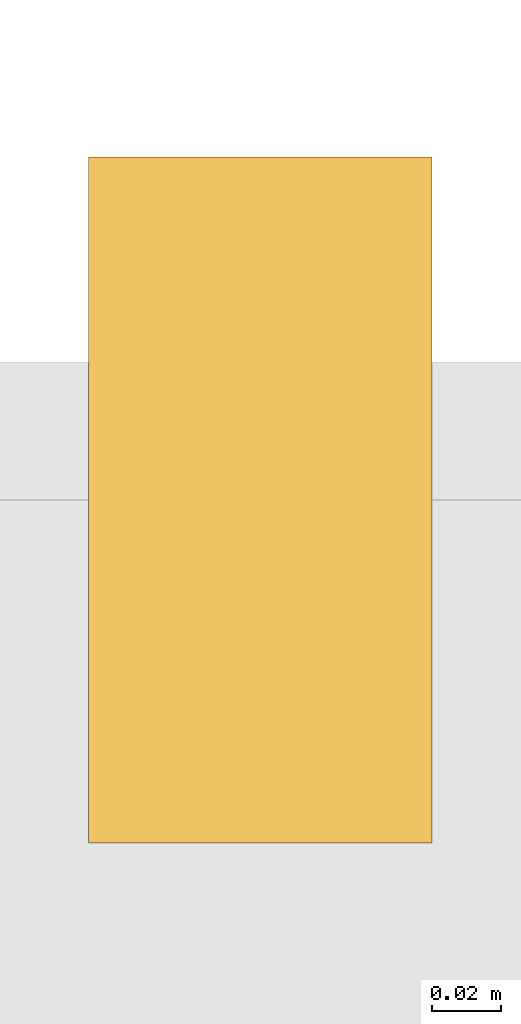
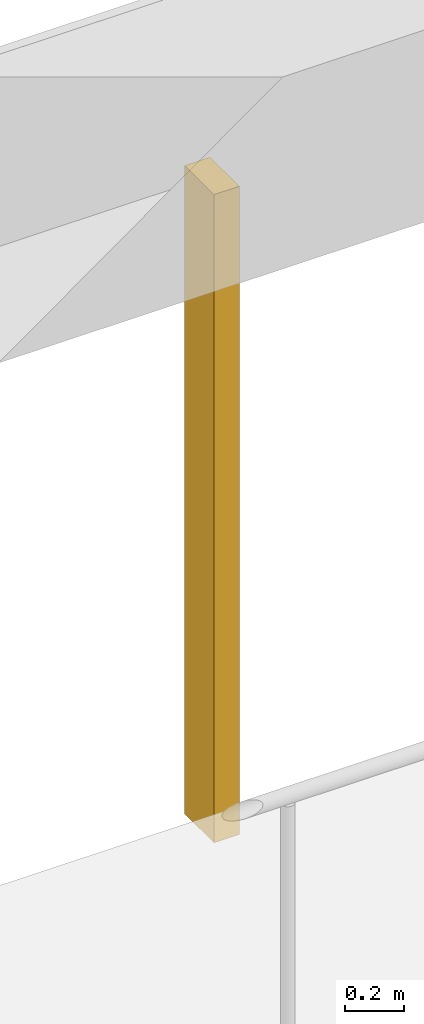
# One storey, part 13 of 19: 1 shading device.
"""IFC4 building model written with IfcOpenShell, lengths in metres."""

import ifcopenshell
import ifcopenshell.guid

model = None  # the IFC model being written
_history = None  # IfcOwnerHistory: only IFC2X3 demands one
_inside = {}  # id of a spatial element -> (the spatial element, [elements in it])
_under = {}  # id of a project, library or spatial element -> (it, [spatial elements below it])
_declared = {}  # id of a project -> (the project, [libraries it declares])
_typed = {}  # id of a type object -> (the type object, [elements of that type])
_made_of = {}  # id of a material, layer set ... -> (it, [elements and type objects made of it])


def new_model(schema):
    """Start an empty IFC model of exactly this schema.

    Asked for "IFC4X3", IfcOpenShell would pick the latest addendum, in which some entities
    have other attributes; the version numbers below select the first issue.
    IFC2X3 requires an IfcOwnerHistory on every rooted entity: one is made here for all.
    """
    global model, _history
    if schema == "IFC4X3":
        model = ifcopenshell.file(schema_version=(4, 3, 0, 0))
    else:
        model = ifcopenshell.file(schema=schema)
    _inside.clear()
    _under.clear()
    _declared.clear()
    _typed.clear()
    _made_of.clear()
    _history = None
    if model.schema == "IFC2X3":
        org = make("IfcOrganization", Name="unknown")
        user = make(
            "IfcPersonAndOrganization",
            ThePerson=make("IfcPerson", FamilyName="unknown"),
            TheOrganization=org,
        )
        app = make(
            "IfcApplication",
            ApplicationDeveloper=org,
            Version="unknown",
            ApplicationFullName="unknown",
            ApplicationIdentifier="unknown",
        )
        _history = make(
            "IfcOwnerHistory",
            OwningUser=user,
            OwningApplication=app,
            ChangeAction="ADDED",
            CreationDate=0,
        )
    return model


def make(cls, **values):
    """One entity of the class cls with the attributes given. An attribute that is None is left unset."""
    return model.create_entity(
        cls, **{name: value for name, value in values.items() if value is not None}
    )


def rooted(cls, **values):
    """An entity with a GlobalId (a new one), such as an element, a storey or a relation."""
    return make(cls, GlobalId=ifcopenshell.guid.new(), OwnerHistory=_history, **values)


def si_unit(unit_type, name, prefix=None):
    """IfcSIUnit, for example si_unit("LENGTHUNIT", "METRE", prefix="MILLI")."""
    return make("IfcSIUnit", UnitType=unit_type, Prefix=prefix, Name=name)


def assignment(units):
    """IfcUnitAssignment: the units of a project."""
    return None if units is None else make("IfcUnitAssignment", Units=units)


def point(xyz):
    """IfcCartesianPoint."""
    return None if xyz is None else make("IfcCartesianPoint", Coordinates=xyz)


def direction(xyz):
    """IfcDirection."""
    return None if xyz is None else make("IfcDirection", DirectionRatios=xyz)


def frame(location, z_axis=None, x_axis=None):
    """IfcAxis2Placement3D, a coordinate frame: its origin and axes. An axis left out is left unset."""
    return make(
        "IfcAxis2Placement3D",
        Location=point(location),
        Axis=direction(z_axis),
        RefDirection=direction(x_axis),
    )


def frame_2d(location, x_axis=None):
    """IfcAxis2Placement2D, a coordinate frame in the plane: its origin and x axis."""
    return make(
        "IfcAxis2Placement2D", Location=point(location), RefDirection=direction(x_axis)
    )


def origin():
    """The frame at (0, 0, 0) with its axes left unset."""
    return frame((0.0, 0.0, 0.0))


def origin_2d():
    """The frame at (0, 0) in the plane with its x axis left unset."""
    return frame_2d((0.0, 0.0))


def place(relative_to, where):
    """IfcLocalPlacement: puts the frame where relative to a parent placement (None: the world)."""
    return make(
        "IfcLocalPlacement", PlacementRelTo=relative_to, RelativePlacement=where
    )


def context(
    kind, dimensions, precision=None, world=None, true_north=None, identifier=None
):
    """IfcGeometricRepresentationContext, for example the 3D "Model" context."""
    return make(
        "IfcGeometricRepresentationContext",
        ContextIdentifier=identifier,
        ContextType=kind,
        CoordinateSpaceDimension=dimensions,
        Precision=precision,
        WorldCoordinateSystem=world,
        TrueNorth=true_north,
    )


def subcontext(parent, identifier, kind, view, scale=None):
    """IfcGeometricRepresentationSubContext, for example "Body" below "Model"."""
    return make(
        "IfcGeometricRepresentationSubContext",
        ContextIdentifier=identifier,
        ContextType=kind,
        ParentContext=parent,
        TargetScale=scale,
        TargetView=view,
    )


def project(units=None, contexts=None):
    """IfcProject with its units and contexts."""
    return rooted(
        "IfcProject",
        Name="project",
        RepresentationContexts=contexts,
        UnitsInContext=assignment(units),
    )


def spatial(cls, under=None, at=None, **own):
    """A site, building, storey or space (cls), placed at a placement, below another one or the project."""
    s = rooted(cls, ObjectPlacement=at, **own)
    if under is not None:
        _under.setdefault(under.id(), (under, []))[1].append(s)
    return s


def profile(cls, at=None, kind="AREA", **sizes):
    """A parametric profile (cls). Its sizes go by their IFC names, for example OverallWidth=200.0."""
    return make(cls, ProfileType=kind, Position=at, **sizes)


def rectangle(**sizes):
    """IfcRectangleProfileDef."""
    return profile("IfcRectangleProfileDef", **sizes)


def extrude(swept, where, along, depth):
    """IfcExtrudedAreaSolid: the profile swept, set in the frame where, extruded along a direction by depth."""
    return make(
        "IfcExtrudedAreaSolid",
        SweptArea=swept,
        Position=where,
        ExtrudedDirection=direction(along),
        Depth=depth,
    )


def shape(context_of_items, identifier, shape_type, items):
    """IfcShapeRepresentation: the items that make up one representation, for example the "Body"."""
    return make(
        "IfcShapeRepresentation",
        ContextOfItems=context_of_items,
        RepresentationIdentifier=identifier,
        RepresentationType=shape_type,
        Items=items,
    )


def material(Name=None, Category=None):
    """IfcMaterial."""
    return make("IfcMaterial", Name=Name, Category=Category)


def material_profile(
    of_material, cross_section, Name=None, Category=None, Priority=None
):
    """IfcMaterialProfile: a cross section and its material."""
    return make(
        "IfcMaterialProfile",
        Name=Name,
        Material=of_material,
        Profile=cross_section,
        Priority=Priority,
        Category=Category,
    )


def profile_set(profiles, Name=None, composite=None):
    """IfcMaterialProfileSet."""
    return make(
        "IfcMaterialProfileSet",
        Name=Name,
        MaterialProfiles=profiles,
        CompositeProfile=composite,
    )


def made_of(thing, what):
    """Note that an element or type object is made of a material, layer set ...; save() writes the relation."""
    if what is not None:
        _made_of.setdefault(what.id(), (what, []))[1].append(thing)
    return thing


def type_object(cls, material=None, **own):
    """A type object (cls), such as IfcWallType, which elements share."""
    return made_of(rooted(cls, **own), material)


def element(
    cls,
    number,
    at=None,
    inside=None,
    cuts=None,
    type_object=None,
    material=None,
    context=None,
    identifier="Body",
    shape_type=None,
    held_by="IfcProductDefinitionShape",
    body=None,
    shapes=None,
    **own,
):
    """One element of the class cls, such as IfcWall. Its Tag is "e" and its number.

    at: its placement. inside: the storey or other place that contains it. cuts: it is an
    opening in that element (IfcRelVoidsElement). A single representation is given by context,
    identifier, shape_type and body (its items); several are given by shapes. held_by: the class
    of the entity that holds the representations. save() writes the other relations.
    """
    e = rooted(cls, Tag="e%d" % number, ObjectPlacement=at, **own)
    if body is not None:
        shapes = [shape(context, identifier, shape_type, body)]
    if shapes is not None:
        e.Representation = make(held_by, Representations=shapes)
    if inside is not None:
        _inside.setdefault(inside.id(), (inside, []))[1].append(e)
    if cuts is not None:
        rooted(
            "IfcRelVoidsElement", RelatingBuildingElement=cuts, RelatedOpeningElement=e
        )
    if type_object is not None:
        _typed.setdefault(type_object.id(), (type_object, []))[1].append(e)
    return made_of(e, material)


def aggregate(whole, parts):
    """IfcRelAggregates: a whole, such as a stair, and the parts it consists of."""
    return rooted("IfcRelAggregates", RelatingObject=whole, RelatedObjects=parts)


def save(model, path):
    """Write the relations noted so far, then the file.

    IfcRelAggregates (storeys below a building ...), IfcRelContainedInSpatialStructure (elements
    in a storey), IfcRelDefinesByType, IfcRelAssociatesMaterial and IfcRelDeclares: one each for
    every whole, place, type object, material and project.
    """
    for whole, parts in _under.values():
        aggregate(whole, parts)
    for where, things in _inside.values():
        rooted(
            "IfcRelContainedInSpatialStructure",
            RelatedElements=things,
            RelatingStructure=where,
        )
    for kind, things in _typed.values():
        rooted("IfcRelDefinesByType", RelatedObjects=things, RelatingType=kind)
    for what, things in _made_of.values():
        rooted("IfcRelAssociatesMaterial", RelatedObjects=things, RelatingMaterial=what)
    for by, libraries in _declared.values():
        rooted("IfcRelDeclares", RelatingContext=by, RelatedDefinitions=libraries)
    model.write(path)


model = new_model("IFC4")

# Units and contexts
model_context = context("Model", 3, precision=1e-05, world=origin(), true_north=direction((0.0, 1.0)))
body_context = subcontext(model_context, "Body", "Model", "MODEL_VIEW")
ifc_project = project(units=[si_unit("LENGTHUNIT", "METRE"), si_unit("AREAUNIT", "SQUARE_METRE"), si_unit("VOLUMEUNIT", "CUBIC_METRE"), si_unit("PLANEANGLEUNIT", "RADIAN"), si_unit("MASSUNIT", "GRAM", prefix="KILO")], contexts=[model_context])

# Site, building, storey
site_placement = place(None, origin())
site = spatial("IfcSite", under=ifc_project, at=site_placement, CompositionType="ELEMENT")
building_placement = place(site_placement, origin())
building = spatial("IfcBuilding", under=site, at=building_placement, Name="Vermilion Gate Residences", CompositionType="ELEMENT")
storey_placement = place(building_placement, frame((0.0, 0.0, 28.699951171875)))
storey = spatial("IfcBuildingStorey", under=building, at=storey_placement, Name="L05", CompositionType="ELEMENT", Elevation=28.699951171875)

# Shading device
ifc_material = material(Name="Extruded terracotta", Category="masonry")
ifc_material_profile = material_profile(ifc_material, rectangle(XDim=0.199951171875, YDim=0.10009765625, at=origin_2d()), Name="BAGUETTE 100 X 200")
ifc_profile_set = profile_set([ifc_material_profile], Name="Extruded terracotta")
shading_device_type = type_object("IfcShadingDeviceType", Name="TERRACOTTA BAGUETTE 100 X 200", PredefinedType="JALOUSIE", material=ifc_profile_set)
shading_device_placement = place(storey_placement, frame((63.0, 25.5, -0.280029296875), z_axis=(0.0, 0.0, 1.0), x_axis=(0.0, -1.0, 0.0)))
element("IfcShadingDevice", 1, at=shading_device_placement, inside=storey, type_object=shading_device_type, Name="BAGUETTE", PredefinedType="JALOUSIE", context=body_context, shape_type="SweptSolid", body=[
    extrude(rectangle(XDim=0.199951171875, YDim=0.10009765625, at=origin_2d()), origin(), (0.0, 0.0, 1.0), 2.7001953125),
])

save(model, "model.ifc")
